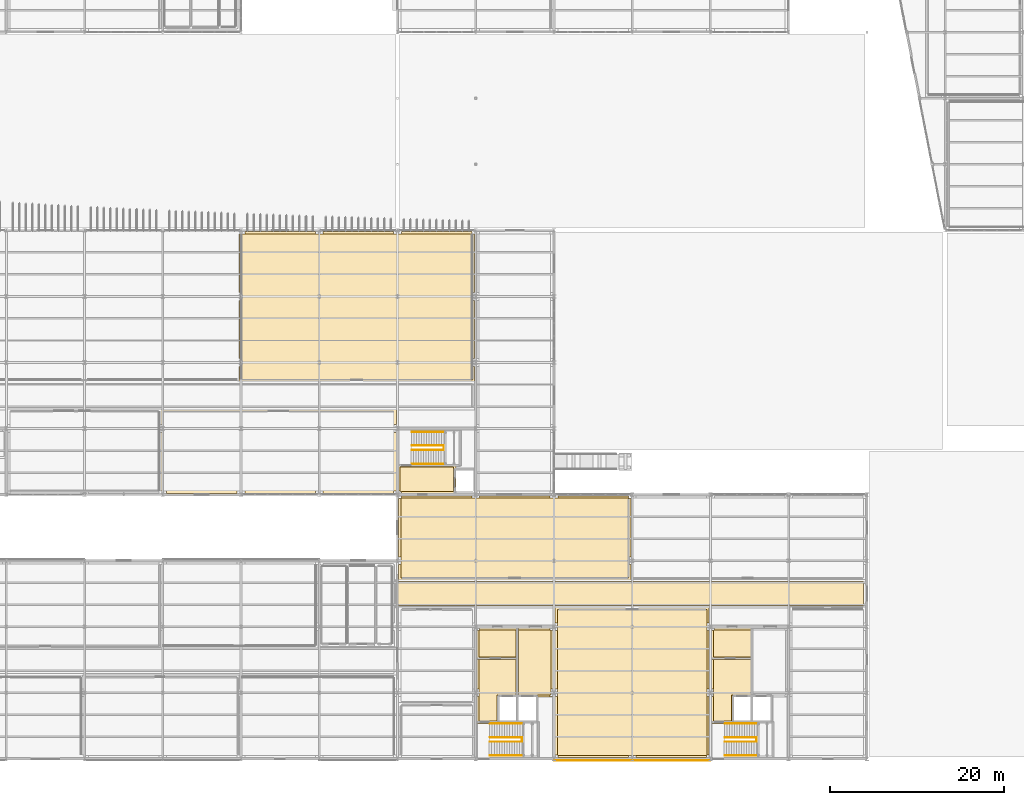
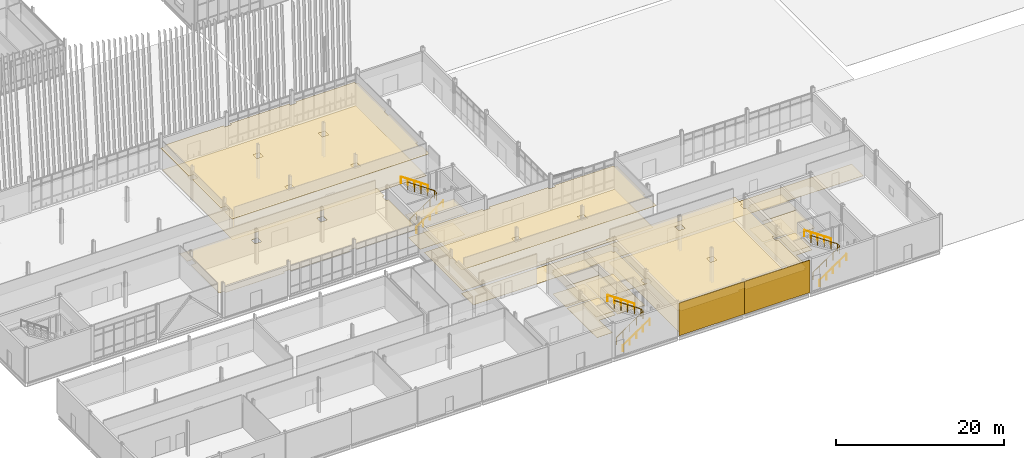
# One storey, part 153 of 161: 22 coverings, 9 railings.
"""IFC4 building model written with IfcOpenShell, lengths in metres."""

from ifc_helpers import new_model, si_unit, direction, frame, origin, origin_2d, place, context, subcontext, project, spatial, polyline, rectangle, circle, outline, extrude, material, layer, layer_set, type_object, element, save


model = new_model("IFC4")

# Units and contexts
model_context = context("Model", 3, precision=1e-05, world=origin(), true_north=direction((0.0, 1.0)))
body_context = subcontext(model_context, "Body", "Model", "MODEL_VIEW")
ifc_project = project(units=[si_unit("LENGTHUNIT", "METRE"), si_unit("AREAUNIT", "SQUARE_METRE"), si_unit("VOLUMEUNIT", "CUBIC_METRE"), si_unit("PLANEANGLEUNIT", "RADIAN"), si_unit("MASSUNIT", "GRAM", prefix="KILO")], contexts=[model_context])

# Site, building, storey
site_placement = place(None, origin())
site = spatial("IfcSite", under=ifc_project, at=site_placement, CompositionType="ELEMENT")
building_placement = place(site_placement, origin())
building = spatial("IfcBuilding", under=site, at=building_placement, Name="Caisbarro Railhouse Central Library", CompositionType="ELEMENT")
storey_placement = place(building_placement, origin())
storey = spatial("IfcBuildingStorey", under=building, at=storey_placement, Name="L00", CompositionType="ELEMENT", Elevation=0.0)

# Coverings
ifc_material_1 = material(Name="Extruded architectural terracotta rainscreen", Category="masonry")
ifc_layer_1 = layer(ifc_material_1, 0.054931640625, Name="Extruded architectural terracotta rainscreen")
ifc_layer_set_1 = layer_set([ifc_layer_1], Name="Extruded architectural terracotta rainscreen")
covering_type_1 = type_object("IfcCoveringType", Name="CLD-TER01", PredefinedType="CLADDING", material=ifc_layer_set_1)
for number, where, z_axis, x_axis, name in (
    (1, (76.5, -0.17138671875, 0.02978515625), (0.0, 0.0, 1.0), (1.0, 0.0, 0.0), "TER01 facade cladding L00-023"),
    (2, (85.5, -0.17138671875, 0.02978515625), (0.0, 0.0, 1.0), (1.0, 0.0, 0.0), "TER01 facade cladding L00-024"),
):
    element("IfcCovering", number, at=place(storey_placement, frame(where, z_axis=z_axis, x_axis=x_axis)), inside=storey, type_object=covering_type_1, Name=name, PredefinedType="CLADDING", context=body_context, shape_type="SweptSolid", body=[
        extrude(rectangle(XDim=8.9599609375, YDim=0.054931640625, at=origin_2d()), origin(), (0.0, 0.0, 1.0), 4.739990234375),
    ])
ifc_material_2 = material(Name="Perforated mineral-fibre acoustic ceiling tile")
ifc_layer_2 = layer(ifc_material_2, 0.01806640625, Name="Perforated mineral-fibre acoustic ceiling tile")
ifc_layer_set_2 = layer_set([ifc_layer_2], Name="Perforated mineral-fibre acoustic ceiling tile")
covering_type_2 = type_object("IfcCoveringType", Name="COV-CL01", PredefinedType="CEILING", material=ifc_layer_set_2)
covering_1_placement = place(storey_placement, frame((0.0, 0.0, 3.25)))
element("IfcCovering", 3, at=covering_1_placement, inside=storey, type_object=covering_type_2, Name="CL01 acoustic ceiling Firefighting Lift Lobby K1", PredefinedType="CEILING", context=body_context, shape_type="SweptSolid", body=[
    extrude(outline(polyline([(63.090087890625, 7.159912109375), (63.43994140625, 7.159912109375), (63.43994140625, 8.0400390625), (63.090087890625, 8.0400390625), (63.090087890625, 11.7099609375), (67.909912109375, 11.7099609375), (67.909912109375, 7.090087890625), (65.7099609375, 7.090087890625), (65.7099609375, 4.090087890625), (63.090087890625, 4.090087890625), (63.090087890625, 7.159912109375)])), origin(), (0.0, 0.0, 1.0), 0.01806640625),
])
covering_2_placement = place(storey_placement, frame((0.0, 0.0, 3.25)))
element("IfcCovering", 4, at=covering_2_placement, inside=storey, type_object=covering_type_2, Name="CL01 acoustic ceiling Lift Lobby K1", PredefinedType="CEILING", context=body_context, shape_type="SweptSolid", body=[
    extrude(outline(polyline([(71.56005859375, 15.110107421875), (71.56005859375, 14.760009765625), (71.909912109375, 14.760009765625), (71.909912109375, 8.0400390625), (71.56005859375, 8.0400390625), (71.56005859375, 7.159912109375), (71.909912109375, 7.159912109375), (71.909912109375, 7.090087890625), (67.639892578125, 7.090087890625), (67.639892578125, 15.110107421875), (71.56005859375, 15.110107421875)])), origin(), (0.0, 0.0, 1.0), 0.01806640625),
])
covering_3_placement = place(storey_placement, frame((0.0, 0.0, 3.25)))
element("IfcCovering", 5, at=covering_3_placement, inside=storey, type_object=covering_type_2, Name="CL01 acoustic ceiling Core Vestibule K1", PredefinedType="CEILING", context=body_context, shape_type="SweptSolid", body=[
    extrude(outline(polyline([(63.090087890625, 14.760009765625), (63.43994140625, 14.760009765625), (63.43994140625, 15.110107421875), (67.909912109375, 15.110107421875), (67.909912109375, 11.43994140625), (63.090087890625, 11.43994140625), (63.090087890625, 14.760009765625)])), origin(), (0.0, 0.0, 1.0), 0.01806640625),
])
covering_4_placement = place(storey_placement, frame((0.0, 0.0, 3.25)))
element("IfcCovering", 6, at=covering_4_placement, inside=storey, type_object=covering_type_2, Name="CL01 acoustic ceiling Firefighting Lift Lobby K2", PredefinedType="CEILING", context=body_context, shape_type="SweptSolid", body=[
    extrude(outline(polyline([(90.090087890625, 7.159912109375), (90.43994140625, 7.159912109375), (90.43994140625, 8.0400390625), (90.090087890625, 8.0400390625), (90.090087890625, 11.7099609375), (94.909912109375, 11.7099609375), (94.909912109375, 7.090087890625), (92.7099609375, 7.090087890625), (92.7099609375, 4.090087890625), (90.090087890625, 4.090087890625), (90.090087890625, 7.159912109375)])), origin(), (0.0, 0.0, 1.0), 0.01806640625),
])
covering_5_placement = place(storey_placement, frame((0.0, 0.0, 3.25)))
element("IfcCovering", 7, at=covering_5_placement, inside=storey, type_object=covering_type_2, Name="CL01 acoustic ceiling Core Vestibule K2", PredefinedType="CEILING", context=body_context, shape_type="SweptSolid", body=[
    extrude(outline(polyline([(90.090087890625, 14.760009765625), (90.43994140625, 14.760009765625), (90.43994140625, 15.110107421875), (94.909912109375, 15.110107421875), (94.909912109375, 11.43994140625), (90.090087890625, 11.43994140625), (90.090087890625, 14.760009765625)])), origin(), (0.0, 0.0, 1.0), 0.01806640625),
])
covering_6_placement = place(storey_placement, frame((0.0, 0.0, 3.25)))
element("IfcCovering", 8, at=covering_6_placement, inside=storey, type_object=covering_type_2, Name="CL01 acoustic ceiling Lift Lobby K4", PredefinedType="CEILING", context=body_context, shape_type="SweptSolid", body=[
    extrude(outline(polyline([(54.0400390625, 33.860107421875), (60.7099609375, 33.860107421875), (60.7099609375, 30.489990234375), (54.43994140625, 30.489990234375), (54.43994140625, 30.840087890625), (54.0400390625, 30.840087890625), (54.0400390625, 33.860107421875)])), origin(), (0.0, 0.0, 1.0), 0.01806640625),
])
covering_7_placement = place(storey_placement, frame((0.0, 0.0, 3.25)))
element("IfcCovering", 9, at=covering_7_placement, inside=storey, type_object=covering_type_2, Name="CL01 acoustic ceiling Closed Archival Stacks Central", PredefinedType="CEILING", context=body_context, shape_type="SweptSolid", body=[
    extrude(outline(polyline([(72.43994140625, 0.43994140625), (72.139892578125, 0.43994140625), (72.139892578125, 7.159912109375), (72.43994140625, 7.159912109375), (72.43994140625, 8.0400390625), (72.139892578125, 8.0400390625), (72.139892578125, 14.760009765625), (72.43994140625, 14.760009765625), (72.43994140625, 15.639892578125), (72.139892578125, 15.639892578125), (72.139892578125, 17.4599609375), (89.860107421875, 17.4599609375), (89.860107421875, 15.639892578125), (89.56005859375, 15.639892578125), (89.56005859375, 14.760009765625), (89.860107421875, 14.760009765625), (89.860107421875, 8.0400390625), (89.56005859375, 8.0400390625), (89.56005859375, 7.159912109375), (89.860107421875, 7.159912109375), (89.860107421875, 0.43994140625), (89.56005859375, 0.43994140625), (89.56005859375, 0.139892578125), (81.43994140625, 0.139892578125), (81.43994140625, 0.43994140625), (80.56005859375, 0.43994140625), (80.56005859375, 0.139892578125), (72.43994140625, 0.139892578125), (72.43994140625, 0.43994140625)]), holes=[polyline([(81.43994140625, 8.0400390625), (80.56005859375, 8.0400390625), (80.56005859375, 7.159912109375), (81.43994140625, 7.159912109375), (81.43994140625, 8.0400390625)]), polyline([(81.43994140625, 14.760009765625), (81.43994140625, 15.639892578125), (80.56005859375, 15.639892578125), (80.56005859375, 14.760009765625), (81.43994140625, 14.760009765625)])]), origin(), (0.0, 0.0, 1.0), 0.01806640625),
])
covering_8_placement = place(storey_placement, frame((0.0, 0.0, 3.25)))
element("IfcCovering", 10, at=covering_8_placement, inside=storey, type_object=covering_type_2, Name="CL01 acoustic ceiling Closed Archival Stacks North", PredefinedType="CEILING", context=body_context, shape_type="SweptSolid", body=[
    extrude(outline(polyline([(62.56005859375, 30.260009765625), (62.56005859375, 29.9599609375), (63.43994140625, 29.9599609375), (63.43994140625, 30.260009765625), (71.56005859375, 30.260009765625), (71.56005859375, 29.9599609375), (72.43994140625, 29.9599609375), (72.43994140625, 30.260009765625), (80.56005859375, 30.260009765625), (80.56005859375, 29.9599609375), (80.860107421875, 29.9599609375), (80.860107421875, 23.239990234375), (80.56005859375, 23.239990234375), (80.56005859375, 22.360107421875), (80.860107421875, 22.360107421875), (80.860107421875, 20.5400390625), (54.139892578125, 20.5400390625), (54.139892578125, 22.360107421875), (54.43994140625, 22.360107421875), (54.43994140625, 23.239990234375), (54.139892578125, 23.239990234375), (54.139892578125, 29.9599609375), (54.43994140625, 29.9599609375), (54.43994140625, 30.260009765625), (62.56005859375, 30.260009765625)]), holes=[polyline([(62.56005859375, 23.239990234375), (62.56005859375, 22.360107421875), (63.43994140625, 22.360107421875), (63.43994140625, 23.239990234375), (62.56005859375, 23.239990234375)]), polyline([(72.43994140625, 22.360107421875), (72.43994140625, 23.239990234375), (71.56005859375, 23.239990234375), (71.56005859375, 22.360107421875), (72.43994140625, 22.360107421875)])]), origin(), (0.0, 0.0, 1.0), 0.01806640625),
])
ifc_material_3 = material(Name="Slatted acoustic timber baffle ceiling", Category="wood")
ifc_layer_3 = layer(ifc_material_3, 0.031982421875, Name="Slatted acoustic timber baffle ceiling")
ifc_layer_set_3 = layer_set([ifc_layer_3], Name="Slatted acoustic timber baffle ceiling")
covering_type_3 = type_object("IfcCoveringType", Name="COV-CL02", PredefinedType="CEILING", material=ifc_layer_set_3)
covering_9_placement = place(storey_placement, frame((0.0, 0.0, 3.25)))
element("IfcCovering", 11, at=covering_9_placement, inside=storey, type_object=covering_type_3, Name="CL02 acoustic ceiling Civic Exhibition Gallery", PredefinedType="CEILING", context=body_context, shape_type="SweptSolid", body=[
    extrude(outline(polyline([(27.43994140625, 30.5400390625), (27.43994140625, 30.840087890625), (26.739990234375, 30.840087890625), (26.739990234375, 37.56005859375), (27.43994140625, 37.56005859375), (27.43994140625, 38.43994140625), (26.739990234375, 38.43994140625), (26.739990234375, 40.260009765625), (53.860107421875, 40.260009765625), (53.860107421875, 38.43994140625), (53.56005859375, 38.43994140625), (53.56005859375, 37.56005859375), (53.860107421875, 37.56005859375), (53.860107421875, 30.840087890625), (53.56005859375, 30.840087890625), (53.56005859375, 30.5400390625), (45.43994140625, 30.5400390625), (45.43994140625, 30.840087890625), (44.56005859375, 30.840087890625), (44.56005859375, 30.5400390625), (36.43994140625, 30.5400390625), (36.43994140625, 30.840087890625), (35.56005859375, 30.840087890625), (35.56005859375, 30.5400390625), (27.43994140625, 30.5400390625)]), holes=[polyline([(36.43994140625, 38.43994140625), (35.56005859375, 38.43994140625), (35.56005859375, 37.56005859375), (36.43994140625, 37.56005859375), (36.43994140625, 38.43994140625)]), polyline([(44.56005859375, 37.56005859375), (45.43994140625, 37.56005859375), (45.43994140625, 38.43994140625), (44.56005859375, 38.43994140625), (44.56005859375, 37.56005859375)])]), origin(), (0.0, 0.0, 1.0), 0.031982421875),
])
covering_10_placement = place(storey_placement, frame((0.0, 0.0, 3.25)))
element("IfcCovering", 12, at=covering_10_placement, inside=storey, type_object=covering_type_3, Name="CL02 acoustic ceiling Popular Lending Reading Room", PredefinedType="CEILING", context=body_context, shape_type="SweptSolid", body=[
    extrude(outline(polyline([(44.56005859375, 60.659912109375), (44.56005859375, 60.360107421875), (45.43994140625, 60.360107421875), (45.43994140625, 60.659912109375), (53.56005859375, 60.659912109375), (53.56005859375, 60.360107421875), (54.43994140625, 60.360107421875), (54.43994140625, 60.659912109375), (62.56005859375, 60.659912109375), (62.56005859375, 60.360107421875), (62.860107421875, 60.360107421875), (62.860107421875, 53.639892578125), (62.56005859375, 53.639892578125), (62.56005859375, 52.760009765625), (62.860107421875, 52.760009765625), (62.860107421875, 46.0400390625), (62.56005859375, 46.0400390625), (62.56005859375, 45.159912109375), (62.860107421875, 45.159912109375), (62.860107421875, 43.340087890625), (35.739990234375, 43.340087890625), (35.739990234375, 45.159912109375), (36.43994140625, 45.159912109375), (36.43994140625, 46.0400390625), (35.739990234375, 46.0400390625), (35.739990234375, 52.760009765625), (36.43994140625, 52.760009765625), (36.43994140625, 53.639892578125), (35.739990234375, 53.639892578125), (35.739990234375, 60.360107421875), (36.43994140625, 60.360107421875), (36.43994140625, 60.659912109375), (44.56005859375, 60.659912109375)]), holes=[polyline([(45.43994140625, 46.0400390625), (44.56005859375, 46.0400390625), (44.56005859375, 45.159912109375), (45.43994140625, 45.159912109375), (45.43994140625, 46.0400390625)]), polyline([(45.43994140625, 52.760009765625), (45.43994140625, 53.639892578125), (44.56005859375, 53.639892578125), (44.56005859375, 52.760009765625), (45.43994140625, 52.760009765625)]), polyline([(53.56005859375, 46.0400390625), (53.56005859375, 45.159912109375), (54.43994140625, 45.159912109375), (54.43994140625, 46.0400390625), (53.56005859375, 46.0400390625)]), polyline([(54.43994140625, 53.639892578125), (53.56005859375, 53.639892578125), (53.56005859375, 52.760009765625), (54.43994140625, 52.760009765625), (54.43994140625, 53.639892578125)])]), origin(), (0.0, 0.0, 1.0), 0.031982421875),
])
ifc_material_4 = material(Name="Polished cementitious terrazzo flooring")
ifc_layer_4 = layer(ifc_material_4, 0.02197265625, Name="Polished cementitious terrazzo flooring")
ifc_layer_set_4 = layer_set([ifc_layer_4], Name="Polished cementitious terrazzo flooring")
covering_type_4 = type_object("IfcCoveringType", Name="COV-FL01", PredefinedType="FLOORING", material=ifc_layer_set_4)
covering_11_placement = place(storey_placement, origin())
element("IfcCovering", 13, at=covering_11_placement, inside=storey, type_object=covering_type_4, Name="FL01 flooring Firefighting Lift Lobby K1", PredefinedType="FLOORING", context=body_context, shape_type="SweptSolid", body=[
    extrude(outline(polyline([(63.35009765625, 4.35009765625), (65.449951171875, 4.35009765625), (65.449951171875, 7.35009765625), (67.64990234375, 7.35009765625), (67.64990234375, 11.449951171875), (63.35009765625, 11.449951171875), (63.35009765625, 4.35009765625)])), origin(), (0.0, 0.0, 1.0), 0.02197265625),
])
covering_12_placement = place(storey_placement, origin())
element("IfcCovering", 14, at=covering_12_placement, inside=storey, type_object=covering_type_4, Name="FL01 flooring Lift Lobby K1", PredefinedType="FLOORING", context=body_context, shape_type="SweptSolid", body=[
    extrude(outline(polyline([(67.89990234375, 7.35009765625), (71.64990234375, 7.35009765625), (71.64990234375, 14.85009765625), (67.89990234375, 14.85009765625), (67.89990234375, 7.35009765625)])), origin(), (0.0, 0.0, 1.0), 0.02197265625),
])
covering_13_placement = place(storey_placement, origin())
element("IfcCovering", 15, at=covering_13_placement, inside=storey, type_object=covering_type_4, Name="FL01 flooring Firefighting Lift Lobby K2", PredefinedType="FLOORING", context=body_context, shape_type="SweptSolid", body=[
    extrude(outline(polyline([(90.35009765625, 4.35009765625), (92.449951171875, 4.35009765625), (92.449951171875, 7.35009765625), (94.64990234375, 7.35009765625), (94.64990234375, 11.449951171875), (90.35009765625, 11.449951171875), (90.35009765625, 4.35009765625)])), origin(), (0.0, 0.0, 1.0), 0.02197265625),
])
covering_14_placement = place(storey_placement, origin())
element("IfcCovering", 16, at=covering_14_placement, inside=storey, type_object=covering_type_4, Name="FL01 flooring Lift Lobby K4", PredefinedType="FLOORING", context=body_context, shape_type="SweptSolid", body=[
    extrude(outline(polyline([(54.300048828125, 30.75), (60.449951171875, 30.75), (60.449951171875, 33.60009765625), (54.300048828125, 33.60009765625), (54.300048828125, 30.75)])), origin(), (0.0, 0.0, 1.0), 0.02197265625),
])
covering_15_placement = place(storey_placement, origin())
element("IfcCovering", 17, at=covering_15_placement, inside=storey, type_object=covering_type_4, Name="FL01 flooring Archive Spine Corridor L00", PredefinedType="FLOORING", context=body_context, shape_type="SweptSolid", body=[
    extrude(outline(polyline([(54.0, 17.60009765625), (107.60009765625, 17.60009765625), (107.60009765625, 20.39990234375), (54.0, 20.39990234375), (54.0, 17.60009765625)])), origin(), (0.0, 0.0, 1.0), 0.02197265625),
])
ifc_material_5 = material(Name="Heavy-duty acoustic linoleum flooring")
ifc_layer_5 = layer(ifc_material_5, 0.011962890625, Name="Heavy-duty acoustic linoleum flooring")
ifc_layer_set_5 = layer_set([ifc_layer_5], Name="Heavy-duty acoustic linoleum flooring")
covering_type_5 = type_object("IfcCoveringType", Name="COV-FL02", PredefinedType="FLOORING", material=ifc_layer_set_5)
covering_16_placement = place(storey_placement, origin())
element("IfcCovering", 18, at=covering_16_placement, inside=storey, type_object=covering_type_5, Name="FL02 flooring Core Vestibule K1", PredefinedType="FLOORING", context=body_context, shape_type="SweptSolid", body=[
    extrude(outline(polyline([(63.35009765625, 11.699951171875), (67.64990234375, 11.699951171875), (67.64990234375, 14.85009765625), (63.35009765625, 14.85009765625), (63.35009765625, 11.699951171875)])), origin(), (0.0, 0.0, 1.0), 0.011962890625),
])
covering_17_placement = place(storey_placement, origin())
element("IfcCovering", 19, at=covering_17_placement, inside=storey, type_object=covering_type_5, Name="FL02 flooring Core Vestibule K2", PredefinedType="FLOORING", context=body_context, shape_type="SweptSolid", body=[
    extrude(outline(polyline([(90.35009765625, 11.699951171875), (94.64990234375, 11.699951171875), (94.64990234375, 14.85009765625), (90.35009765625, 14.85009765625), (90.35009765625, 11.699951171875)])), origin(), (0.0, 0.0, 1.0), 0.011962890625),
])
covering_18_placement = place(storey_placement, origin())
element("IfcCovering", 20, at=covering_18_placement, inside=storey, type_object=covering_type_5, Name="FL02 flooring Closed Archival Stacks Central", PredefinedType="FLOORING", context=body_context, shape_type="SweptSolid", body=[
    extrude(outline(polyline([(72.39990234375, 0.39990234375), (89.60009765625, 0.39990234375), (89.60009765625, 17.199951171875), (72.39990234375, 17.199951171875), (72.39990234375, 0.39990234375)])), origin(), (0.0, 0.0, 1.0), 0.011962890625),
])
covering_19_placement = place(storey_placement, origin())
element("IfcCovering", 21, at=covering_19_placement, inside=storey, type_object=covering_type_5, Name="FL02 flooring Closed Archival Stacks North", PredefinedType="FLOORING", context=body_context, shape_type="SweptSolid", body=[
    extrude(outline(polyline([(54.39990234375, 20.800048828125), (80.60009765625, 20.800048828125), (80.60009765625, 30.0), (54.39990234375, 30.0), (54.39990234375, 20.800048828125)])), origin(), (0.0, 0.0, 1.0), 0.011962890625),
])
covering_20_placement = place(storey_placement, origin())
element("IfcCovering", 22, at=covering_20_placement, inside=storey, type_object=covering_type_5, Name="FL02 flooring Popular Lending Reading Room", PredefinedType="FLOORING", context=body_context, shape_type="SweptSolid", body=[
    extrude(outline(polyline([(36.0, 43.60009765625), (62.60009765625, 43.60009765625), (62.60009765625, 60.39990234375), (36.0, 60.39990234375), (36.0, 43.60009765625)])), origin(), (0.0, 0.0, 1.0), 0.011962890625),
])

# Railings
ifc_material_6 = material(Name="Brushed stainless steel Grade 316", Category="steel")
railing_type_1 = type_object("IfcRailingType", Name="RLG-STR092", PredefinedType="HANDRAIL", material=ifc_material_6)
railing_1_placement = place(storey_placement, frame((64.64990234375, 0.389892578125, 0.0)))
element("IfcRailing", 23, at=railing_1_placement, inside=storey, type_object=railing_type_1, Name="Stair ST-01 Outer Handrail F1 L00", PredefinedType="HANDRAIL", context=body_context, shape_type="SweptSolid", body=[
    extrude(circle(Radius=0.02392578125, at=origin_2d()), frame((0.0, 0.0, 0.89599609375), z_axis=(0.824379387844, 0.0, 0.566037653251), x_axis=(0.0, 1.0, 0.0)), (0.0, 0.0, 1.0), 4.4521484375),
    extrude(circle(Radius=0.02099609375, at=origin_2d()), origin(), (0.0, 0.0, 1.0), 0.871826171875),
    extrude(circle(Radius=0.02099609375, at=origin_2d()), frame((0.91748046875, 0.0, 0.6298828125)), (0.0, 0.0, 1.0), 0.871826171875),
    extrude(circle(Radius=0.02099609375, at=origin_2d()), frame((1.8349609375, 0.0, 1.260009765625)), (0.0, 0.0, 1.0), 0.871826171875),
    extrude(circle(Radius=0.02099609375, at=origin_2d()), frame((2.752685546875, 0.0, 1.89013671875)), (0.0, 0.0, 1.0), 0.871826171875),
    extrude(circle(Radius=0.02099609375, at=origin_2d()), frame((3.670166015625, 0.0, 2.52001953125)), (0.0, 0.0, 1.0), 0.871826171875),
])
railing_2_placement = place(storey_placement, frame((68.320068359375, 4.06005859375, 2.52001953125)))
element("IfcRailing", 24, at=railing_2_placement, inside=storey, type_object=railing_type_1, Name="Stair ST-01 Outer Handrail F2 L00", PredefinedType="HANDRAIL", context=body_context, shape_type="SweptSolid", body=[
    extrude(circle(Radius=0.02392578125, at=origin_2d()), frame((0.0, 0.0, 0.89599609375), z_axis=(-0.824379387844, 0.0, 0.566037653251), x_axis=(0.0, -1.0, 0.0)), (0.0, 0.0, 1.0), 4.4521484375),
    extrude(circle(Radius=0.02099609375, at=origin_2d()), origin(), (0.0, 0.0, 1.0), 0.871826171875),
    extrude(circle(Radius=0.02099609375, at=origin_2d()), frame((-0.91748046875, 0.0, 0.6298828125)), (0.0, 0.0, 1.0), 0.871826171875),
    extrude(circle(Radius=0.02099609375, at=origin_2d()), frame((-1.8349609375, 0.0, 1.260009765625)), (0.0, 0.0, 1.0), 0.871826171875),
    extrude(circle(Radius=0.02099609375, at=origin_2d()), frame((-2.752685546875, 0.0, 1.89013671875)), (0.0, 0.0, 1.0), 0.871826171875),
    extrude(circle(Radius=0.02099609375, at=origin_2d()), frame((-3.670166015625, 0.0, 2.52001953125)), (0.0, 0.0, 1.0), 0.871826171875),
])
railing_3_placement = place(storey_placement, frame((91.64990234375, 0.389892578125, 0.0)))
element("IfcRailing", 25, at=railing_3_placement, inside=storey, type_object=railing_type_1, Name="Stair ST-02 Outer Handrail F1 L00", PredefinedType="HANDRAIL", context=body_context, shape_type="SweptSolid", body=[
    extrude(circle(Radius=0.02392578125, at=origin_2d()), frame((0.0, 0.0, 0.89599609375), z_axis=(0.824379387844, 0.0, 0.566037653251), x_axis=(0.0, 1.0, 0.0)), (0.0, 0.0, 1.0), 4.4521484375),
    extrude(circle(Radius=0.02099609375, at=origin_2d()), origin(), (0.0, 0.0, 1.0), 0.871826171875),
    extrude(circle(Radius=0.02099609375, at=origin_2d()), frame((0.91748046875, 0.0, 0.6298828125)), (0.0, 0.0, 1.0), 0.871826171875),
    extrude(circle(Radius=0.02099609375, at=origin_2d()), frame((1.8349609375, 0.0, 1.260009765625)), (0.0, 0.0, 1.0), 0.871826171875),
    extrude(circle(Radius=0.02099609375, at=origin_2d()), frame((2.752685546875, 0.0, 1.89013671875)), (0.0, 0.0, 1.0), 0.871826171875),
    extrude(circle(Radius=0.02099609375, at=origin_2d()), frame((3.670166015625, 0.0, 2.52001953125)), (0.0, 0.0, 1.0), 0.871826171875),
])
railing_4_placement = place(storey_placement, frame((95.320068359375, 4.06005859375, 2.52001953125)))
element("IfcRailing", 26, at=railing_4_placement, inside=storey, type_object=railing_type_1, Name="Stair ST-02 Outer Handrail F2 L00", PredefinedType="HANDRAIL", context=body_context, shape_type="SweptSolid", body=[
    extrude(circle(Radius=0.02392578125, at=origin_2d()), frame((0.0, 0.0, 0.89599609375), z_axis=(-0.824379387844, 0.0, 0.566037653251), x_axis=(0.0, -1.0, 0.0)), (0.0, 0.0, 1.0), 4.4521484375),
    extrude(circle(Radius=0.02099609375, at=origin_2d()), origin(), (0.0, 0.0, 1.0), 0.871826171875),
    extrude(circle(Radius=0.02099609375, at=origin_2d()), frame((-0.91748046875, 0.0, 0.6298828125)), (0.0, 0.0, 1.0), 0.871826171875),
    extrude(circle(Radius=0.02099609375, at=origin_2d()), frame((-1.8349609375, 0.0, 1.260009765625)), (0.0, 0.0, 1.0), 0.871826171875),
    extrude(circle(Radius=0.02099609375, at=origin_2d()), frame((-2.752685546875, 0.0, 1.89013671875)), (0.0, 0.0, 1.0), 0.871826171875),
    extrude(circle(Radius=0.02099609375, at=origin_2d()), frame((-3.670166015625, 0.0, 2.52001953125)), (0.0, 0.0, 1.0), 0.871826171875),
])
railing_5_placement = place(storey_placement, frame((55.64990234375, 33.93994140625, 0.0)))
element("IfcRailing", 27, at=railing_5_placement, inside=storey, type_object=railing_type_1, Name="Stair ST-04 Outer Handrail F1 L00", PredefinedType="HANDRAIL", context=body_context, shape_type="SweptSolid", body=[
    extrude(circle(Radius=0.02392578125, at=origin_2d()), frame((0.0, 0.0, 0.89599609375), z_axis=(0.824379387844, 0.0, 0.566037653251), x_axis=(0.0, 1.0, 0.0)), (0.0, 0.0, 1.0), 4.4521484375),
    extrude(circle(Radius=0.02099609375, at=origin_2d()), origin(), (0.0, 0.0, 1.0), 0.871826171875),
    extrude(circle(Radius=0.02099609375, at=origin_2d()), frame((0.91748046875, 0.0, 0.6298828125)), (0.0, 0.0, 1.0), 0.871826171875),
    extrude(circle(Radius=0.02099609375, at=origin_2d()), frame((1.8349609375, 0.0, 1.260009765625)), (0.0, 0.0, 1.0), 0.871826171875),
    extrude(circle(Radius=0.02099609375, at=origin_2d()), frame((2.752685546875, 0.0, 1.89013671875)), (0.0, 0.0, 1.0), 0.871826171875),
    extrude(circle(Radius=0.02099609375, at=origin_2d()), frame((3.670166015625, 0.0, 2.52001953125)), (0.0, 0.0, 1.0), 0.871826171875),
])
railing_6_placement = place(storey_placement, frame((59.320068359375, 37.610107421875, 2.52001953125)))
element("IfcRailing", 28, at=railing_6_placement, inside=storey, type_object=railing_type_1, Name="Stair ST-04 Outer Handrail F2 L00", PredefinedType="HANDRAIL", context=body_context, shape_type="SweptSolid", body=[
    extrude(circle(Radius=0.02392578125, at=origin_2d()), frame((0.0, 0.0, 0.89599609375), z_axis=(-0.824379387844, 0.0, 0.566037653251), x_axis=(0.0, -1.0, 0.0)), (0.0, 0.0, 1.0), 4.4521484375),
    extrude(circle(Radius=0.02099609375, at=origin_2d()), origin(), (0.0, 0.0, 1.0), 0.871826171875),
    extrude(circle(Radius=0.02099609375, at=origin_2d()), frame((-0.91748046875, 0.0, 0.6298828125)), (0.0, 0.0, 1.0), 0.871826171875),
    extrude(circle(Radius=0.02099609375, at=origin_2d()), frame((-1.8349609375, 0.0, 1.260009765625)), (0.0, 0.0, 1.0), 0.871826171875),
    extrude(circle(Radius=0.02099609375, at=origin_2d()), frame((-2.752685546875, 0.0, 1.89013671875)), (0.0, 0.0, 1.0), 0.871826171875),
    extrude(circle(Radius=0.02099609375, at=origin_2d()), frame((-3.670166015625, 0.0, 2.52001953125)), (0.0, 0.0, 1.0), 0.871826171875),
])
railing_type_2 = type_object("IfcRailingType", Name="RLG-STR110", PredefinedType="GUARDRAIL", material=ifc_material_6)
railing_7_placement = place(storey_placement, frame((64.64990234375, 1.969970703125, 0.0)))
element("IfcRailing", 29, at=railing_7_placement, inside=storey, type_object=railing_type_2, Name="Stair ST-01 Inner Well Guardrail L00", PredefinedType="GUARDRAIL", context=body_context, shape_type="SweptSolid", body=[
    extrude(circle(Radius=0.02392578125, at=origin_2d()), frame((0.0, 0.0, 1.076171875), z_axis=(0.824379387844, 0.0, 0.566037653251), x_axis=(0.0, 1.0, 0.0)), (0.0, 0.0, 1.0), 4.4521484375),
    extrude(circle(Radius=0.02392578125, at=origin_2d()), frame((3.670166015625, 0.0, 3.59619140625), z_axis=(0.0, 1.0, 0.0), x_axis=(-1.0, 0.0, 0.0)), (0.0, 0.0, 1.0), 0.510009765625),
    extrude(circle(Radius=0.02392578125, at=origin_2d()), frame((3.670166015625, 0.510009765625, 3.59619140625), z_axis=(-0.824379387844, 0.0, 0.566037653251), x_axis=(0.0, -1.0, 0.0)), (0.0, 0.0, 1.0), 4.4521484375),
    extrude(circle(Radius=0.02099609375, at=origin_2d()), origin(), (0.0, 0.0, 1.0), 1.052001953125),
    extrude(circle(Radius=0.02099609375, at=origin_2d()), frame((0.91748046875, 0.0, 0.6298828125)), (0.0, 0.0, 1.0), 1.052001953125),
    extrude(circle(Radius=0.02099609375, at=origin_2d()), frame((1.8349609375, 0.0, 1.260009765625)), (0.0, 0.0, 1.0), 1.052001953125),
    extrude(circle(Radius=0.02099609375, at=origin_2d()), frame((2.752685546875, 0.0, 1.89013671875)), (0.0, 0.0, 1.0), 1.052001953125),
    extrude(circle(Radius=0.02099609375, at=origin_2d()), frame((3.670166015625, 0.0, 2.52001953125)), (0.0, 0.0, 1.0), 1.052001953125),
    extrude(circle(Radius=0.02099609375, at=origin_2d()), frame((3.670166015625, 0.510009765625, 2.52001953125)), (0.0, 0.0, 1.0), 1.052001953125),
    extrude(circle(Radius=0.02099609375, at=origin_2d()), frame((2.752685546875, 0.510009765625, 3.14990234375)), (0.0, 0.0, 1.0), 1.052001953125),
    extrude(circle(Radius=0.02099609375, at=origin_2d()), frame((1.8349609375, 0.510009765625, 3.780029296875)), (0.0, 0.0, 1.0), 1.052001953125),
    extrude(circle(Radius=0.02099609375, at=origin_2d()), frame((0.91748046875, 0.510009765625, 4.41015625)), (0.0, 0.0, 1.0), 1.052001953125),
    extrude(circle(Radius=0.02099609375, at=origin_2d()), frame((0.0, 0.510009765625, 5.0400390625)), (0.0, 0.0, 1.0), 1.052001953125),
])
railing_8_placement = place(storey_placement, frame((91.64990234375, 1.969970703125, 0.0)))
element("IfcRailing", 30, at=railing_8_placement, inside=storey, type_object=railing_type_2, Name="Stair ST-02 Inner Well Guardrail L00", PredefinedType="GUARDRAIL", context=body_context, shape_type="SweptSolid", body=[
    extrude(circle(Radius=0.02392578125, at=origin_2d()), frame((0.0, 0.0, 1.076171875), z_axis=(0.824379387844, 0.0, 0.566037653251), x_axis=(0.0, 1.0, 0.0)), (0.0, 0.0, 1.0), 4.4521484375),
    extrude(circle(Radius=0.02392578125, at=origin_2d()), frame((3.670166015625, 0.0, 3.59619140625), z_axis=(0.0, 1.0, 0.0), x_axis=(-1.0, 0.0, 0.0)), (0.0, 0.0, 1.0), 0.510009765625),
    extrude(circle(Radius=0.02392578125, at=origin_2d()), frame((3.670166015625, 0.510009765625, 3.59619140625), z_axis=(-0.824379387844, 0.0, 0.566037653251), x_axis=(0.0, -1.0, 0.0)), (0.0, 0.0, 1.0), 4.4521484375),
    extrude(circle(Radius=0.02099609375, at=origin_2d()), origin(), (0.0, 0.0, 1.0), 1.052001953125),
    extrude(circle(Radius=0.02099609375, at=origin_2d()), frame((0.91748046875, 0.0, 0.6298828125)), (0.0, 0.0, 1.0), 1.052001953125),
    extrude(circle(Radius=0.02099609375, at=origin_2d()), frame((1.8349609375, 0.0, 1.260009765625)), (0.0, 0.0, 1.0), 1.052001953125),
    extrude(circle(Radius=0.02099609375, at=origin_2d()), frame((2.752685546875, 0.0, 1.89013671875)), (0.0, 0.0, 1.0), 1.052001953125),
    extrude(circle(Radius=0.02099609375, at=origin_2d()), frame((3.670166015625, 0.0, 2.52001953125)), (0.0, 0.0, 1.0), 1.052001953125),
    extrude(circle(Radius=0.02099609375, at=origin_2d()), frame((3.670166015625, 0.510009765625, 2.52001953125)), (0.0, 0.0, 1.0), 1.052001953125),
    extrude(circle(Radius=0.02099609375, at=origin_2d()), frame((2.752685546875, 0.510009765625, 3.14990234375)), (0.0, 0.0, 1.0), 1.052001953125),
    extrude(circle(Radius=0.02099609375, at=origin_2d()), frame((1.8349609375, 0.510009765625, 3.780029296875)), (0.0, 0.0, 1.0), 1.052001953125),
    extrude(circle(Radius=0.02099609375, at=origin_2d()), frame((0.91748046875, 0.510009765625, 4.41015625)), (0.0, 0.0, 1.0), 1.052001953125),
    extrude(circle(Radius=0.02099609375, at=origin_2d()), frame((0.0, 0.510009765625, 5.0400390625)), (0.0, 0.0, 1.0), 1.052001953125),
])
railing_9_placement = place(storey_placement, frame((55.64990234375, 35.52001953125, 0.0)))
element("IfcRailing", 31, at=railing_9_placement, inside=storey, type_object=railing_type_2, Name="Stair ST-04 Inner Well Guardrail L00", PredefinedType="GUARDRAIL", context=body_context, shape_type="SweptSolid", body=[
    extrude(circle(Radius=0.02392578125, at=origin_2d()), frame((0.0, 0.0, 1.076171875), z_axis=(0.824379387844, 0.0, 0.566037653251), x_axis=(0.0, 1.0, 0.0)), (0.0, 0.0, 1.0), 4.4521484375),
    extrude(circle(Radius=0.02392578125, at=origin_2d()), frame((3.670166015625, 0.0, 3.59619140625), z_axis=(0.0, 1.0, 0.0), x_axis=(-1.0, 0.0, 0.0)), (0.0, 0.0, 1.0), 0.510009765625),
    extrude(circle(Radius=0.02392578125, at=origin_2d()), frame((3.670166015625, 0.510009765625, 3.59619140625), z_axis=(-0.824379387844, 0.0, 0.566037653251), x_axis=(0.0, -1.0, 0.0)), (0.0, 0.0, 1.0), 4.4521484375),
    extrude(circle(Radius=0.02099609375, at=origin_2d()), origin(), (0.0, 0.0, 1.0), 1.052001953125),
    extrude(circle(Radius=0.02099609375, at=origin_2d()), frame((0.91748046875, 0.0, 0.6298828125)), (0.0, 0.0, 1.0), 1.052001953125),
    extrude(circle(Radius=0.02099609375, at=origin_2d()), frame((1.8349609375, 0.0, 1.260009765625)), (0.0, 0.0, 1.0), 1.052001953125),
    extrude(circle(Radius=0.02099609375, at=origin_2d()), frame((2.752685546875, 0.0, 1.89013671875)), (0.0, 0.0, 1.0), 1.052001953125),
    extrude(circle(Radius=0.02099609375, at=origin_2d()), frame((3.670166015625, 0.0, 2.52001953125)), (0.0, 0.0, 1.0), 1.052001953125),
    extrude(circle(Radius=0.02099609375, at=origin_2d()), frame((3.670166015625, 0.510009765625, 2.52001953125)), (0.0, 0.0, 1.0), 1.052001953125),
    extrude(circle(Radius=0.02099609375, at=origin_2d()), frame((2.752685546875, 0.510009765625, 3.14990234375)), (0.0, 0.0, 1.0), 1.052001953125),
    extrude(circle(Radius=0.02099609375, at=origin_2d()), frame((1.8349609375, 0.510009765625, 3.780029296875)), (0.0, 0.0, 1.0), 1.052001953125),
    extrude(circle(Radius=0.02099609375, at=origin_2d()), frame((0.91748046875, 0.510009765625, 4.41015625)), (0.0, 0.0, 1.0), 1.052001953125),
    extrude(circle(Radius=0.02099609375, at=origin_2d()), frame((0.0, 0.510009765625, 5.0400390625)), (0.0, 0.0, 1.0), 1.052001953125),
])

save(model, "model.ifc")
